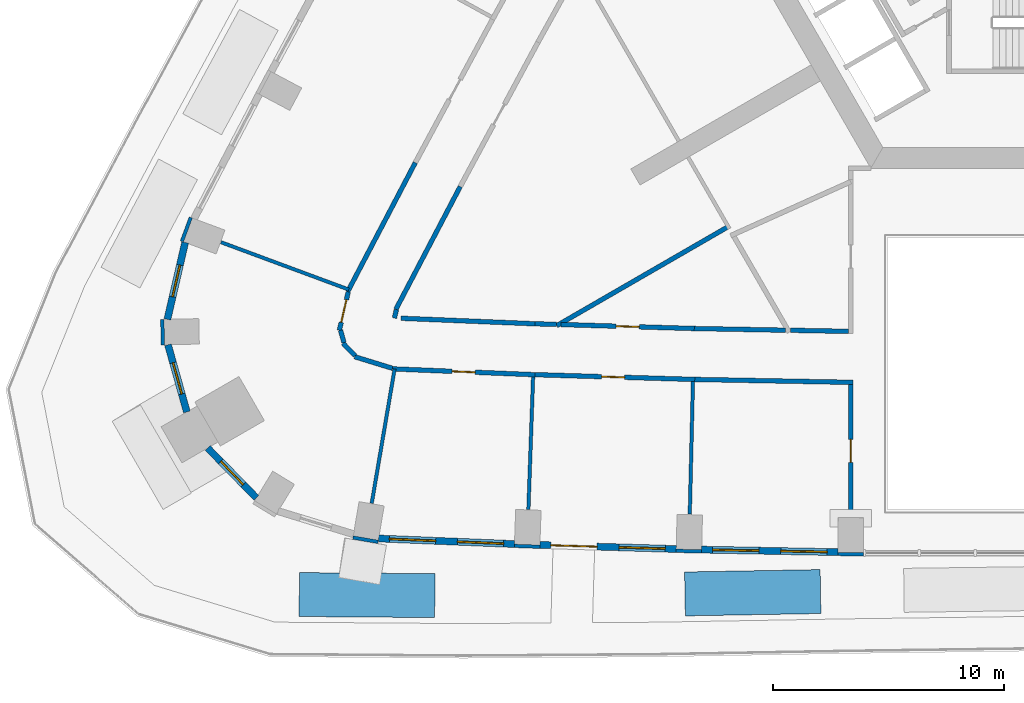
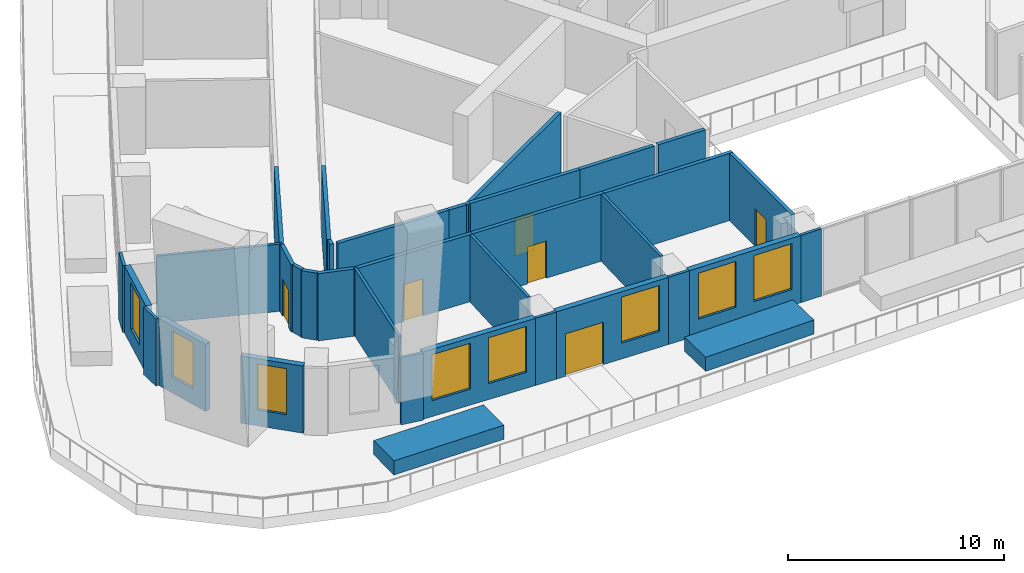
# One storey, part 4 of 16: 35 walls, 8 windows, 6 doors, 14 openings.
"""IFC4 building model written with IfcOpenShell, lengths in metres."""

from ifc_helpers import new_model, si_unit, direction, frame, frame_2d, origin, place, context, subcontext, project, spatial, rectangle, extrude, material, layer, layer_set, type_object, element, fill, save


model = new_model("IFC4")

# Units and contexts
model_context = context("Model", 3, precision=1e-05, world=origin(), true_north=direction((0.0, 1.0)))
body_context = subcontext(model_context, "Body", "Model", "MODEL_VIEW")
ifc_project = project(units=[si_unit("LENGTHUNIT", "METRE"), si_unit("AREAUNIT", "SQUARE_METRE"), si_unit("VOLUMEUNIT", "CUBIC_METRE"), si_unit("PLANEANGLEUNIT", "RADIAN"), si_unit("MASSUNIT", "GRAM", prefix="KILO")], contexts=[model_context])

# Site, building, storey
site_placement = place(None, origin())
site = spatial("IfcSite", under=ifc_project, at=site_placement, CompositionType="ELEMENT")
building_placement = place(site_placement, origin())
building = spatial("IfcBuilding", under=site, at=building_placement, Name="Entoto Arch Interchange Tower", CompositionType="ELEMENT")
storey_placement = place(building_placement, frame((0.0, 0.0, 86.60009765625)))
storey = spatial("IfcBuildingStorey", under=building, at=storey_placement, Name="L18", CompositionType="ELEMENT", Elevation=86.60009765625)

# Walls
ifc_material_1 = material(Name="Gypsum board partition on steel studs", Category="steel")
ifc_layer_1 = layer(ifc_material_1, 0.14990234375)
ifc_layer_set_1 = layer_set([ifc_layer_1], Name="Gypsum board partition on steel studs")
wall_type_1 = type_object("IfcWallType", Name="PARTITION 150", PredefinedType="PARTITIONING", material=ifc_layer_set_1)
wall_1_placement = place(storey_placement, frame((-29.493896484375, -14.740966796875, 0.0), z_axis=(0.0, 0.0, 1.0), x_axis=(-0.937719767819, 0.347392626636, 0.0)))
element("IfcWall", 1, at=wall_1_placement, inside=storey, type_object=wall_type_1, Name="wall:L18:p128", PredefinedType="PARTITIONING", context=body_context, shape_type="SweptSolid", body=[
    extrude(rectangle(XDim=5.89208984375, YDim=0.14990234375, at=frame_2d((2.946044921875, 0.0))), origin(), (0.0, 0.0, 1.0), 3.7998046875),
])
wall_2_placement = place(storey_placement, frame((-27.512939453125, -18.173095703125, 0.0), z_axis=(0.0, 0.0, 1.0), x_axis=(-0.168033262309, -0.985781326034, 0.0)))
element("IfcWall", 2, at=wall_2_placement, inside=storey, type_object=wall_type_1, Name="wall:L18:p129", PredefinedType="PARTITIONING", context=body_context, shape_type="SweptSolid", body=[
    extrude(rectangle(XDim=5.8916015625, YDim=0.14990234375, at=frame_2d((2.94580078125, 0.0))), origin(), (0.0, 0.0, 1.0), 3.7998046875),
])
wall_3_placement = place(storey_placement, frame((-21.527099609375, -18.51904296875, 0.0), z_axis=(0.0, 0.0, 1.0), x_axis=(-0.035408838092, -0.999372910472, 0.0)))
element("IfcWall", 3, at=wall_3_placement, inside=storey, type_object=wall_type_1, Name="wall:L18:p130", PredefinedType="PARTITIONING", context=body_context, shape_type="SweptSolid", body=[
    extrude(rectangle(XDim=5.729736328125, YDim=0.14990234375, at=frame_2d((2.86474609375, 0.0))), origin(), (0.0, 0.0, 1.0), 3.7998046875),
])
wall_4_placement = place(storey_placement, frame((-14.616943359375, -18.72412109375, 0.0), z_axis=(0.0, 0.0, 1.0), x_axis=(-0.02407553942, -0.999710142192, 0.0)))
element("IfcWall", 4, at=wall_4_placement, inside=storey, type_object=wall_type_1, Name="wall:L18:p131", PredefinedType="PARTITIONING", context=body_context, shape_type="SweptSolid", body=[
    extrude(rectangle(XDim=5.7294921875, YDim=0.14990234375, at=frame_2d((2.86474609375, 0.0))), origin(), (0.0, 0.0, 1.0), 3.7998046875),
])
ifc_layer_2 = layer(ifc_material_1, 0.199951171875)
ifc_layer_set_2 = layer_set([ifc_layer_2], Name="Gypsum board partition on steel studs")
wall_type_2 = type_object("IfcWallType", Name="PARTITION 200", PredefinedType="PARTITIONING", material=ifc_layer_set_2)
wall_5_placement = place(storey_placement, frame((-10.407958984375, -16.5009765625, 0.0), z_axis=(0.0, 0.0, 1.0), x_axis=(0.999823568917, -0.018783797216, 0.0)))
element("IfcWall", 5, at=wall_5_placement, inside=storey, type_object=wall_type_2, Name="wall:L18:p022", PredefinedType="PARTITIONING", context=body_context, shape_type="SweptSolid", body=[
    extrude(rectangle(XDim=2.508544921875, YDim=0.199951171875, at=frame_2d((1.25439453125, 0.0))), origin(), (0.0, 0.0, 1.0), 3.7998046875),
])
wall_6_placement = place(storey_placement, frame((-24.677978515625, -10.2900390625, 0.0), z_axis=(0.0, 0.0, 1.0), x_axis=(-0.464203280494, -0.885728691179, 0.0)))
element("IfcWall", 6, at=wall_6_placement, inside=storey, type_object=wall_type_2, Name="wall:L18:p025", PredefinedType="PARTITIONING", context=body_context, shape_type="SweptSolid", body=[
    extrude(rectangle(XDim=5.9951171875, YDim=0.199951171875, at=frame_2d((2.99755859375, 0.0))), origin(), (0.0, 0.0, 1.0), 3.7998046875),
])
wall_7_placement = place(storey_placement, frame((-27.43701171875, -15.60888671875, 0.0), z_axis=(0.0, 0.0, 1.0), x_axis=(-0.224098195188, -0.97456656977, 0.0)))
element("IfcWall", 7, at=wall_7_placement, inside=storey, type_object=wall_type_2, Name="wall:L18:p026", PredefinedType="PARTITIONING", context=body_context, shape_type="SweptSolid", body=[
    extrude(rectangle(XDim=0.374755859375, YDim=0.199951171875, at=frame_2d((0.1875, 0.0))), origin(), (0.0, 0.0, 1.0), 3.7998046875),
])
wall_8_placement = place(storey_placement, frame((-27.239990234375, -15.98193359375, 0.0), z_axis=(0.0, 0.0, 1.0), x_axis=(0.999157128819, -0.041049140426, 0.0)))
element("IfcWall", 8, at=wall_8_placement, inside=storey, type_object=wall_type_2, Name="wall:L18:p027", PredefinedType="PARTITIONING", context=body_context, shape_type="SweptSolid", body=[
    extrude(rectangle(XDim=5.798828125, YDim=0.199951171875, at=frame_2d((2.8994140625, 0.0))), origin(), (0.0, 0.0, 1.0), 3.7998046875),
])
wall_9_placement = place(storey_placement, frame((-21.446044921875, -16.219970703125, 0.0), z_axis=(0.0, 0.0, 1.0), x_axis=(0.999542625536, -0.030241358047, 0.0)))
element("IfcWall", 9, at=wall_9_placement, inside=storey, type_object=wall_type_2, Name="wall:L18:p028", PredefinedType="PARTITIONING", context=body_context, shape_type="SweptSolid", body=[
    extrude(rectangle(XDim=0.928466796875, YDim=0.199951171875, at=frame_2d((0.46435546875, 0.0))), origin(), (0.0, 0.0, 1.0), 3.7998046875),
])

# Wall, opening, door
wall_10_placement = place(storey_placement, frame((-20.318115234375, -16.2529296875, 0.0), z_axis=(0.0, 0.0, 1.0), x_axis=(0.999553385537, -0.029883598524, 0.0)))
wall_10 = element("IfcWall", 10, at=wall_10_placement, inside=storey, type_object=wall_type_2, Name="wall:L18:p029", PredefinedType="PARTITIONING", context=body_context, shape_type="SweptSolid", body=[
    extrude(rectangle(XDim=5.759765625, YDim=0.199951171875, at=frame_2d((2.8798828125, 0.0))), origin(), (0.0, 0.0, 1.0), 3.7998046875),
])
opening_1_placement = place(wall_10_placement, frame((2.3798828125, 0.0, 0.0)))
opening_1 = element("IfcOpeningElement", 11, at=opening_1_placement, cuts=wall_10, Name="Opening L18-D31", PredefinedType="OPENING", context=body_context, shape_type="SweptSolid", body=[
    extrude(rectangle(XDim=1.0, YDim=2.10009765625, at=frame_2d((0.5, 1.050048828125))), frame((0.0, 0.10986328125, 0.0), z_axis=(0.0, -1.0, 0.0), x_axis=(1.0, 0.0, 0.0)), (0.0, 0.0, 1.0), 0.219970703125),
])
ifc_material_2 = material(Name="Timber door leaf in Steel S235 frame", Category="steel")
door_type_1 = type_object("IfcDoorType", Name="DOOR DS-10 1000x2100", OperationType="SINGLE_SWING_LEFT", PredefinedType="DOOR", material=ifc_material_2)
door_1_placement = place(opening_1_placement, origin())
door_1 = element("IfcDoor", 12, at=door_1_placement, inside=storey, type_object=door_type_1, Name="door:L18:31", OperationType="SINGLE_SWING_LEFT", OverallHeight=2.10009765625, OverallWidth=1.0, PredefinedType="DOOR", context=body_context, shape_type="SweptSolid", body=[
    extrude(rectangle(XDim=1.0, YDim=2.10009765625, at=frame_2d((0.5, 1.050048828125))), frame((0.0, 0.02490234375, 0.0), z_axis=(0.0, -1.0, 0.0), x_axis=(1.0, 0.0, 0.0)), (0.0, 0.0, 1.0), 0.050048828125),
])
fill(opening_1, door_1)

# Walls
wall_11_placement = place(storey_placement, frame((-14.56103515625, -16.425048828125, 0.0), z_axis=(0.0, 0.0, 1.0), x_axis=(0.999829548691, -0.018462761553, 0.0)))
element("IfcWall", 13, at=wall_11_placement, inside=storey, type_object=wall_type_2, Name="wall:L18:p030", PredefinedType="PARTITIONING", context=body_context, shape_type="SweptSolid", body=[
    extrude(rectangle(XDim=3.953857421875, YDim=0.199951171875, at=frame_2d((1.97705078125, 0.0))), origin(), (0.0, 0.0, 1.0), 3.7998046875),
])
wall_12_placement = place(storey_placement, frame((-29.541015625, -14.8291015625, 0.0), z_axis=(0.0, 0.0, 1.0), x_axis=(0.46422598759, 0.885716790202, 0.0)))
element("IfcWall", 14, at=wall_12_placement, inside=storey, type_object=wall_type_2, Name="wall:L18:p057", PredefinedType="PARTITIONING", context=body_context, shape_type="SweptSolid", body=[
    extrude(rectangle(XDim=6.289794921875, YDim=0.199951171875, at=frame_2d((3.14501953125, 0.0))), origin(), (0.0, 0.0, 1.0), 3.7998046875),
])
wall_13_placement = place(storey_placement, frame((-27.60791015625, -18.14404296875, 0.0), z_axis=(0.0, 0.0, 1.0), x_axis=(-0.956137025409, 0.292919764852, 0.0)))
element("IfcWall", 15, at=wall_13_placement, inside=storey, type_object=wall_type_2, Name="wall:L18:p059", PredefinedType="PARTITIONING", context=body_context, shape_type="SweptSolid", body=[
    extrude(rectangle(XDim=1.70703125, YDim=0.199951171875, at=frame_2d((0.853515625, 0.0))), origin(), (0.0, 0.0, 1.0), 3.7998046875),
])
wall_14_placement = place(storey_placement, frame((-29.215087890625, -17.60205078125, 0.0), z_axis=(0.0, 0.0, 1.0), x_axis=(-0.698331924638, 0.715774072617, 0.0)))
element("IfcWall", 16, at=wall_14_placement, inside=storey, type_object=wall_type_2, Name="wall:L18:p060", PredefinedType="PARTITIONING", context=body_context, shape_type="SweptSolid", body=[
    extrude(rectangle(XDim=0.755859375, YDim=0.199951171875, at=frame_2d((0.3779296875, 0.0))), origin(), (0.0, 0.0, 1.0), 3.7998046875),
])
wall_15_placement = place(storey_placement, frame((-29.700927734375, -17.035888671875, 0.0), z_axis=(0.0, 0.0, 1.0), x_axis=(-0.269792639482, 0.962918444979, 0.0)))
element("IfcWall", 17, at=wall_15_placement, inside=storey, type_object=wall_type_2, Name="wall:L18:p061", PredefinedType="PARTITIONING", context=body_context, shape_type="SweptSolid", body=[
    extrude(rectangle(XDim=0.556640625, YDim=0.199951171875, at=frame_2d((0.2783203125, 0.0))), origin(), (0.0, 0.0, 1.0), 3.7998046875),
])

# Wall, opening, door
wall_16_placement = place(storey_placement, frame((-29.89990234375, -16.5009765625, 0.0), z_axis=(0.0, 0.0, 1.0), x_axis=(0.224316169854, 0.974516421587, 0.0)))
wall_16 = element("IfcWall", 18, at=wall_16_placement, inside=storey, type_object=wall_type_2, Name="wall:L18:p062", PredefinedType="PARTITIONING", context=body_context, shape_type="SweptSolid", body=[
    extrude(rectangle(XDim=1.70654296875, YDim=0.199951171875, at=frame_2d((0.853271484375, 0.0))), origin(), (0.0, 0.0, 1.0), 3.7998046875),
])
opening_2_placement = place(wall_16_placement, frame((0.35302734375, 0.0, 0.0)))
opening_2 = element("IfcOpeningElement", 19, at=opening_2_placement, cuts=wall_16, Name="Opening L18-D19", PredefinedType="OPENING", context=body_context, shape_type="SweptSolid", body=[
    extrude(rectangle(XDim=1.0, YDim=2.10009765625, at=frame_2d((0.5, 1.050048828125))), frame((0.0, 0.10986328125, 0.0), z_axis=(0.0, -1.0, 0.0), x_axis=(1.0, 0.0, 0.0)), (0.0, 0.0, 1.0), 0.219970703125),
])
door_2_placement = place(opening_2_placement, origin())
door_2 = element("IfcDoor", 20, at=door_2_placement, inside=storey, type_object=door_type_1, Name="door:L18:19", OperationType="SINGLE_SWING_RIGHT", OverallHeight=2.10009765625, OverallWidth=1.0, PredefinedType="DOOR", context=body_context, shape_type="SweptSolid", body=[
    extrude(rectangle(XDim=1.0, YDim=2.10009765625, at=frame_2d((0.5, 1.050048828125))), frame((0.0, 0.02490234375, 0.0), z_axis=(0.0, -1.0, 0.0), x_axis=(1.0, 0.0, 0.0)), (0.0, 0.0, 1.0), 0.050048828125),
])
fill(opening_2, door_2)

wall_17_placement = place(storey_placement, frame((-21.448974609375, -18.422119140625, 0.0), z_axis=(0.0, 0.0, 1.0), x_axis=(-0.999157588083, 0.041037960189, 0.0)))
wall_17 = element("IfcWall", 21, at=wall_17_placement, inside=storey, type_object=wall_type_2, Name="wall:L18:p063", PredefinedType="PARTITIONING", context=body_context, shape_type="SweptSolid", body=[
    extrude(rectangle(XDim=6.169189453125, YDim=0.199951171875, at=frame_2d((3.08447265625, 0.0))), origin(), (0.0, 0.0, 1.0), 3.7998046875),
])
opening_3_placement = place(wall_17_placement, frame((2.583984375, 0.0, 0.0)))
opening_3 = element("IfcOpeningElement", 22, at=opening_3_placement, cuts=wall_17, Name="Opening L18-D20", PredefinedType="OPENING", context=body_context, shape_type="SweptSolid", body=[
    extrude(rectangle(XDim=1.0, YDim=2.10009765625, at=frame_2d((0.5, 1.050048828125))), frame((0.0, 0.10986328125, 0.0), z_axis=(0.0, -1.0, 0.0), x_axis=(1.0, 0.0, 0.0)), (0.0, 0.0, 1.0), 0.219970703125),
])
door_3_placement = place(opening_3_placement, origin())
door_3 = element("IfcDoor", 23, at=door_3_placement, inside=storey, type_object=door_type_1, Name="door:L18:20", OperationType="SINGLE_SWING_LEFT", OverallHeight=2.10009765625, OverallWidth=1.0, PredefinedType="DOOR", context=body_context, shape_type="SweptSolid", body=[
    extrude(rectangle(XDim=1.0, YDim=2.10009765625, at=frame_2d((0.5, 1.050048828125))), frame((0.0, 0.02490234375, 0.0), z_axis=(0.0, -1.0, 0.0), x_axis=(1.0, 0.0, 0.0)), (0.0, 0.0, 1.0), 0.050048828125),
])
fill(opening_3, door_3)

wall_18_placement = place(storey_placement, frame((-14.5390625, -18.6259765625, 0.0), z_axis=(0.0, 0.0, 1.0), x_axis=(-0.999555675329, 0.029806910574, 0.0)))
wall_18 = element("IfcWall", 24, at=wall_18_placement, inside=storey, type_object=wall_type_2, Name="wall:L18:p064", PredefinedType="PARTITIONING", context=body_context, shape_type="SweptSolid", body=[
    extrude(rectangle(XDim=6.9130859375, YDim=0.199951171875, at=frame_2d((3.45654296875, 0.0))), origin(), (0.0, 0.0, 1.0), 3.7998046875),
])
opening_4_placement = place(wall_18_placement, frame((3.031005859375, 0.0, 0.0)))
opening_4 = element("IfcOpeningElement", 25, at=opening_4_placement, cuts=wall_18, Name="Opening L18-D21", PredefinedType="OPENING", context=body_context, shape_type="SweptSolid", body=[
    extrude(rectangle(XDim=1.0, YDim=2.10009765625, at=frame_2d((0.5, 1.050048828125))), frame((0.0, 0.10986328125, 0.0), z_axis=(0.0, -1.0, 0.0), x_axis=(1.0, 0.0, 0.0)), (0.0, 0.0, 1.0), 0.219970703125),
])
door_4_placement = place(opening_4_placement, origin())
door_4 = element("IfcDoor", 26, at=door_4_placement, inside=storey, type_object=door_type_1, Name="door:L18:21", OperationType="SINGLE_SWING_LEFT", OverallHeight=2.10009765625, OverallWidth=1.0, PredefinedType="DOOR", context=body_context, shape_type="SweptSolid", body=[
    extrude(rectangle(XDim=1.0, YDim=2.10009765625, at=frame_2d((0.5, 1.050048828125))), frame((0.0, 0.02490234375, 0.0), z_axis=(0.0, -1.0, 0.0), x_axis=(1.0, 0.0, 0.0)), (0.0, 0.0, 1.0), 0.050048828125),
])
fill(opening_4, door_4)

# Wall
wall_19_placement = place(storey_placement, frame((-7.699951171875, -18.751953125, 0.0), z_axis=(0.0, 0.0, 1.0), x_axis=(-0.999830394604, 0.018416895142, 0.0)))
element("IfcWall", 27, at=wall_19_placement, inside=storey, type_object=wall_type_2, Name="wall:L18:p065", PredefinedType="PARTITIONING", context=body_context, shape_type="SweptSolid", body=[
    extrude(rectangle(XDim=6.84033203125, YDim=0.199951171875, at=frame_2d((3.420166015625, 0.0))), origin(), (0.0, 0.0, 1.0), 3.7998046875),
])

# Wall, opening, door
wall_20_placement = place(storey_placement, frame((-7.800048828125, -24.5810546875, 0.0), z_axis=(0.0, 0.0, 1.0), x_axis=(0.0, 1.0, 0.0)))
wall_20 = element("IfcWall", 28, at=wall_20_placement, inside=storey, type_object=wall_type_2, Name="wall:L18:p098", PredefinedType="PARTITIONING", context=body_context, shape_type="SweptSolid", body=[
    extrude(rectangle(XDim=5.73095703125, YDim=0.199951171875, at=frame_2d((2.865478515625, 0.0))), origin(), (0.0, 0.0, 1.0), 3.7998046875),
])
opening_5_placement = place(wall_20_placement, frame((2.365966796875, 0.0, 0.0)))
opening_5 = element("IfcOpeningElement", 29, at=opening_5_placement, cuts=wall_20, Name="Opening L18-D22", PredefinedType="OPENING", context=body_context, shape_type="SweptSolid", body=[
    extrude(rectangle(XDim=1.0, YDim=2.10009765625, at=frame_2d((0.5, 1.050048828125))), frame((0.0, 0.10986328125, 0.0), z_axis=(0.0, -1.0, 0.0), x_axis=(1.0, 0.0, 0.0)), (0.0, 0.0, 1.0), 0.219970703125),
])
door_5_placement = place(opening_5_placement, origin())
door_5 = element("IfcDoor", 30, at=door_5_placement, inside=storey, type_object=door_type_1, Name="door:L18:22", OperationType="SINGLE_SWING_LEFT", OverallHeight=2.10009765625, OverallWidth=1.0, PredefinedType="DOOR", context=body_context, shape_type="SweptSolid", body=[
    extrude(rectangle(XDim=1.0, YDim=2.10009765625, at=frame_2d((0.5, 1.050048828125))), frame((0.0, 0.02490234375, 0.0), z_axis=(0.0, -1.0, 0.0), x_axis=(1.0, 0.0, 0.0)), (0.0, 0.0, 1.0), 0.050048828125),
])
fill(opening_5, door_5)

# Walls
wall_21_placement = place(storey_placement, frame((-13.072021484375, -12.009033203125, 0.0), z_axis=(0.0, 0.0, 1.0), x_axis=(-0.865993734772, -0.500054848326, 0.0)))
element("IfcWall", 31, at=wall_21_placement, inside=storey, type_object=wall_type_2, Name="wall:L18:p110", PredefinedType="PARTITIONING", context=body_context, shape_type="SweptSolid", body=[
    extrude(rectangle(XDim=8.5830078125, YDim=0.199951171875, at=frame_2d((4.29150390625, 0.0))), origin(), (0.0, 0.0, 1.0), 3.7998046875),
])
ifc_material_3 = material(Name="Board-marked precast concrete C50/60", Category="concrete")
ifc_layer_3 = layer(ifc_material_3, 1.89990234375)
ifc_layer_set_3 = layer_set([ifc_layer_3], Name="Board-marked precast concrete C50/60")
wall_type_3 = type_object("IfcWallType", Name="PLANTER RC 1900 Afrocarpus falcatus", PredefinedType="STANDARD", material=ifc_layer_set_3)
wall_22_placement = place(storey_placement, frame((-31.635009765625, -27.925048828125, 0.0), z_axis=(0.0, 0.0, 1.0), x_axis=(0.999971883216, -0.007498851768, 0.0)))
element("IfcWall", 32, at=wall_22_placement, inside=storey, type_object=wall_type_3, Name="Terrace planter S-01 L18", PredefinedType="STANDARD", context=body_context, shape_type="SweptSolid", body=[
    extrude(rectangle(XDim=5.8603515625, YDim=1.89990234375, at=frame_2d((2.93017578125, 0.0))), origin(), (0.0, 0.0, 1.0), 0.7998046875),
])
ifc_layer_4 = layer(ifc_material_3, 1.89990234375)
ifc_layer_set_4 = layer_set([ifc_layer_4], Name="Board-marked precast concrete C50/60")
wall_type_4 = type_object("IfcWallType", Name="PLANTER RC 1900 Vachellia abyssinica", PredefinedType="STANDARD", material=ifc_layer_set_4)
wall_23_placement = place(storey_placement, frame((-14.9619140625, -27.89794921875, 0.0), z_axis=(0.0, 0.0, 1.0), x_axis=(0.999845423275, 0.017582080533, 0.0)))
element("IfcWall", 33, at=wall_23_placement, inside=storey, type_object=wall_type_4, Name="Terrace planter S-03 L18", PredefinedType="STANDARD", context=body_context, shape_type="SweptSolid", body=[
    extrude(rectangle(XDim=5.85986328125, YDim=1.89990234375, at=frame_2d((2.929931640625, 0.0))), origin(), (0.0, 0.0, 1.0), 0.7998046875),
])

# Wall, openings, windows
ifc_material_4 = material(Name="Welded tuff (ignimbrite) cladding, warm buff", Category="masonry")
ifc_layer_5 = layer(ifc_material_4, 0.300048828125)
ifc_layer_set_5 = layer_set([ifc_layer_5], Name="Welded tuff (ignimbrite) cladding, warm buff")
wall_type_5 = type_object("IfcWallType", Name="STONE INFILL WALL 300", PredefinedType="STANDARD", material=ifc_layer_set_5)
wall_24_placement = place(storey_placement, frame((-28.205078125, -25.5009765625, 0.0), z_axis=(0.0, 0.0, 1.0), x_axis=(0.999159360905, -0.040994774244, 0.0)))
wall_24 = element("IfcWall", 34, at=wall_24_placement, inside=storey, type_object=wall_type_5, Name="Facade wall S-01 L18", PredefinedType="STANDARD", context=body_context, shape_type="SweptSolid", body=[
    extrude(rectangle(XDim=5.8779296875, YDim=0.300048828125, at=frame_2d((2.93896484375, 0.0))), origin(), (0.0, 0.0, 1.0), 3.7998046875),
])
opening_6_placement = place(wall_24_placement, frame((0.468994140625, 0.0, 0.89990234375)))
opening_6 = element("IfcOpeningElement", 35, at=opening_6_placement, cuts=wall_24, Name="Opening WO-C", PredefinedType="OPENING", context=body_context, shape_type="SweptSolid", body=[
    extrude(rectangle(XDim=2.0, YDim=2.60009765625, at=frame_2d((1.0, 1.300048828125))), frame((0.0, 0.16015625, 0.0), z_axis=(0.0, -1.0, 0.0), x_axis=(1.0, 0.0, 0.0)), (0.0, 0.0, 1.0), 0.320068359375),
])
opening_7_placement = place(wall_24_placement, frame((3.407958984375, 0.0, 0.89990234375)))
opening_7 = element("IfcOpeningElement", 36, at=opening_7_placement, cuts=wall_24, Name="Opening WO-C", PredefinedType="OPENING", context=body_context, shape_type="SweptSolid", body=[
    extrude(rectangle(XDim=2.0, YDim=2.60009765625, at=frame_2d((1.0, 1.300048828125))), frame((0.0, 0.16015625, 0.0), z_axis=(0.0, -1.0, 0.0), x_axis=(1.0, 0.0, 0.0)), (0.0, 0.0, 1.0), 0.320068359375),
])
ifc_material_5 = material(Name="Clear glass, low-e double glazed", Category="glass")
window_type_1 = type_object("IfcWindowType", Name="WINDOW WO-C 2000x2600", PartitioningType="DOUBLE_PANEL_VERTICAL", PredefinedType="WINDOW", material=ifc_material_5)
window_1_placement = place(opening_6_placement, origin())
window_1 = element("IfcWindow", 37, at=window_1_placement, inside=storey, type_object=window_type_1, Name="Window WO-C S-01 L18", OverallHeight=2.60009765625, OverallWidth=2.0, PartitioningType="SINGLE_PANEL", PredefinedType="WINDOW", context=body_context, shape_type="SweptSolid", body=[
    extrude(rectangle(XDim=2.0, YDim=2.60009765625, at=frame_2d((1.0, 1.300048828125))), frame((0.0, 0.030029296875, 0.0), z_axis=(0.0, -1.0, 0.0), x_axis=(1.0, 0.0, 0.0)), (0.0, 0.0, 1.0), 0.06005859375),
])
fill(opening_6, window_1)
window_2_placement = place(opening_7_placement, origin())
window_2 = element("IfcWindow", 38, at=window_2_placement, inside=storey, type_object=window_type_1, Name="Window WO-C S-01 L18", OverallHeight=2.60009765625, OverallWidth=2.0, PartitioningType="SINGLE_PANEL", PredefinedType="WINDOW", context=body_context, shape_type="SweptSolid", body=[
    extrude(rectangle(XDim=2.0, YDim=2.60009765625, at=frame_2d((1.0, 1.300048828125))), frame((0.0, 0.030029296875, 0.0), z_axis=(0.0, -1.0, 0.0), x_axis=(1.0, 0.0, 0.0)), (0.0, 0.0, 1.0), 0.06005859375),
])
fill(opening_7, window_2)

# Wall, openings, door, window
wall_25_placement = place(storey_placement, frame((-21.235107421875, -25.780029296875, 0.0), z_axis=(0.0, 0.0, 1.0), x_axis=(0.999554487555, -0.029846715213, 0.0)))
wall_25 = element("IfcWall", 39, at=wall_25_placement, inside=storey, type_object=wall_type_5, Name="Facade wall S-02 L18", PredefinedType="STANDARD", context=body_context, shape_type="SweptSolid", body=[
    extrude(rectangle(XDim=5.897705078125, YDim=0.300048828125, at=frame_2d((2.94873046875, 0.0))), origin(), (0.0, 0.0, 1.0), 3.7998046875),
])
opening_8_placement = place(wall_25_placement, frame((0.47412109375, 0.0, 0.0)))
opening_8 = element("IfcOpeningElement", 40, at=opening_8_placement, cuts=wall_25, Name="Opening DT-S-02-L18", PredefinedType="OPENING", context=body_context, shape_type="SweptSolid", body=[
    extrude(rectangle(XDim=2.0, YDim=2.39990234375, at=frame_2d((1.0, 1.199951171875))), frame((0.0, 0.16015625, 0.0), z_axis=(0.0, -1.0, 0.0), x_axis=(1.0, 0.0, 0.0)), (0.0, 0.0, 1.0), 0.320068359375),
])
opening_9_placement = place(wall_25_placement, frame((3.423095703125, 0.0, 0.89990234375)))
opening_9 = element("IfcOpeningElement", 41, at=opening_9_placement, cuts=wall_25, Name="Opening WO-C", PredefinedType="OPENING", context=body_context, shape_type="SweptSolid", body=[
    extrude(rectangle(XDim=2.0, YDim=2.60009765625, at=frame_2d((1.0, 1.300048828125))), frame((0.0, 0.16015625, 0.0), z_axis=(0.0, -1.0, 0.0), x_axis=(1.0, 0.0, 0.0)), (0.0, 0.0, 1.0), 0.320068359375),
])
ifc_material_6 = material(Name="Aluminium and clear glass, anodised", Category="aluminium")
door_type_2 = type_object("IfcDoorType", Name="TERRACE DOOR DT 2000x2400", OperationType="SLIDING_TO_LEFT", PredefinedType="DOOR", material=ifc_material_6)
door_6_placement = place(opening_8_placement, origin())
door_6 = element("IfcDoor", 42, at=door_6_placement, inside=storey, type_object=door_type_2, Name="Terrace door S-02 L18", OperationType="SLIDING_TO_LEFT", OverallHeight=2.39990234375, OverallWidth=2.0, PredefinedType="DOOR", context=body_context, shape_type="SweptSolid", body=[
    extrude(rectangle(XDim=2.0, YDim=2.39990234375, at=frame_2d((1.0, 1.199951171875))), frame((0.0, 0.02490234375, 0.0), z_axis=(0.0, -1.0, 0.0), x_axis=(1.0, 0.0, 0.0)), (0.0, 0.0, 1.0), 0.050048828125),
])
fill(opening_8, door_6)
window_3_placement = place(opening_9_placement, origin())
window_3 = element("IfcWindow", 43, at=window_3_placement, inside=storey, type_object=window_type_1, Name="Window WO-C S-02 L18", OverallHeight=2.60009765625, OverallWidth=2.0, PartitioningType="SINGLE_PANEL", PredefinedType="WINDOW", context=body_context, shape_type="SweptSolid", body=[
    extrude(rectangle(XDim=2.0, YDim=2.60009765625, at=frame_2d((1.0, 1.300048828125))), frame((0.0, 0.030029296875, 0.0), z_axis=(0.0, -1.0, 0.0), x_axis=(1.0, 0.0, 0.0)), (0.0, 0.0, 1.0), 0.06005859375),
])
fill(opening_9, window_3)

# Wall, openings, windows
wall_26_placement = place(storey_placement, frame((-14.241943359375, -25.98193359375, 0.0), z_axis=(0.0, 0.0, 1.0), x_axis=(0.999828633111, -0.018512277318, 0.0)))
wall_26 = element("IfcWall", 44, at=wall_26_placement, inside=storey, type_object=wall_type_5, Name="Facade wall S-03 L18", PredefinedType="STANDARD", context=body_context, shape_type="SweptSolid", body=[
    extrude(rectangle(XDim=5.89501953125, YDim=0.300048828125, at=frame_2d((2.947509765625, 0.0))), origin(), (0.0, 0.0, 1.0), 3.7998046875),
])
opening_10_placement = place(wall_26_placement, frame((0.47412109375, 0.0, 0.89990234375)))
opening_10 = element("IfcOpeningElement", 45, at=opening_10_placement, cuts=wall_26, Name="Opening WO-C", PredefinedType="OPENING", context=body_context, shape_type="SweptSolid", body=[
    extrude(rectangle(XDim=2.0, YDim=2.60009765625, at=frame_2d((1.0, 1.300048828125))), frame((0.0, 0.16015625, 0.0), z_axis=(0.0, -1.0, 0.0), x_axis=(1.0, 0.0, 0.0)), (0.0, 0.0, 1.0), 0.320068359375),
])
opening_11_placement = place(wall_26_placement, frame((3.4208984375, 0.0, 0.89990234375)))
opening_11 = element("IfcOpeningElement", 46, at=opening_11_placement, cuts=wall_26, Name="Opening WO-C", PredefinedType="OPENING", context=body_context, shape_type="SweptSolid", body=[
    extrude(rectangle(XDim=2.0, YDim=2.60009765625, at=frame_2d((1.0, 1.300048828125))), frame((0.0, 0.16015625, 0.0), z_axis=(0.0, -1.0, 0.0), x_axis=(1.0, 0.0, 0.0)), (0.0, 0.0, 1.0), 0.320068359375),
])
window_4_placement = place(opening_10_placement, origin())
window_4 = element("IfcWindow", 47, at=window_4_placement, inside=storey, type_object=window_type_1, Name="Window WO-C S-03 L18", OverallHeight=2.60009765625, OverallWidth=2.0, PartitioningType="SINGLE_PANEL", PredefinedType="WINDOW", context=body_context, shape_type="SweptSolid", body=[
    extrude(rectangle(XDim=2.0, YDim=2.60009765625, at=frame_2d((1.0, 1.300048828125))), frame((0.0, 0.030029296875, 0.0), z_axis=(0.0, -1.0, 0.0), x_axis=(1.0, 0.0, 0.0)), (0.0, 0.0, 1.0), 0.06005859375),
])
fill(opening_10, window_4)
window_5_placement = place(opening_11_placement, origin())
window_5 = element("IfcWindow", 48, at=window_5_placement, inside=storey, type_object=window_type_1, Name="Window WO-C S-03 L18", OverallHeight=2.60009765625, OverallWidth=2.0, PartitioningType="SINGLE_PANEL", PredefinedType="WINDOW", context=body_context, shape_type="SweptSolid", body=[
    extrude(rectangle(XDim=2.0, YDim=2.60009765625, at=frame_2d((1.0, 1.300048828125))), frame((0.0, 0.030029296875, 0.0), z_axis=(0.0, -1.0, 0.0), x_axis=(1.0, 0.0, 0.0)), (0.0, 0.0, 1.0), 0.06005859375),
])
fill(opening_11, window_5)

# Wall, opening, window
wall_27_placement = place(storey_placement, frame((-36.568115234375, -12.7060546875, 0.0), z_axis=(0.0, 0.0, 1.0), x_axis=(-0.224859506699, -0.974391195695, 0.0)))
wall_27 = element("IfcWall", 49, at=wall_27_placement, inside=storey, type_object=wall_type_5, Name="Facade wall SW-01 L18", PredefinedType="STANDARD", context=body_context, shape_type="SweptSolid", body=[
    extrude(rectangle(XDim=3.410400390625, YDim=0.300048828125, at=frame_2d((1.705078125, 0.0))), origin(), (0.0, 0.0, 1.0), 3.7998046875),
])
opening_12_placement = place(wall_27_placement, frame((1.0048828125, 0.0, 0.89990234375)))
opening_12 = element("IfcOpeningElement", 50, at=opening_12_placement, cuts=wall_27, Name="Opening WO-B", PredefinedType="OPENING", context=body_context, shape_type="SweptSolid", body=[
    extrude(rectangle(XDim=1.39990234375, YDim=2.60009765625, at=frame_2d((0.699951171875, 1.300048828125))), frame((0.0, 0.16015625, 0.0), z_axis=(0.0, -1.0, 0.0), x_axis=(1.0, 0.0, 0.0)), (0.0, 0.0, 1.0), 0.320068359375),
])
window_type_2 = type_object("IfcWindowType", Name="WINDOW WO-B 1400x2600", PartitioningType="DOUBLE_PANEL_VERTICAL", PredefinedType="WINDOW", material=ifc_material_5)
window_6_placement = place(opening_12_placement, origin())
window_6 = element("IfcWindow", 51, at=window_6_placement, inside=storey, type_object=window_type_2, Name="Window WO-B SW-01 L18", OverallHeight=2.60009765625, OverallWidth=1.39990234375, PartitioningType="SINGLE_PANEL", PredefinedType="WINDOW", context=body_context, shape_type="SweptSolid", body=[
    extrude(rectangle(XDim=1.39990234375, YDim=2.60009765625, at=frame_2d((0.699951171875, 1.300048828125))), frame((0.0, 0.030029296875, 0.0), z_axis=(0.0, -1.0, 0.0), x_axis=(1.0, 0.0, 0.0)), (0.0, 0.0, 1.0), 0.06005859375),
])
fill(opening_12, window_6)

wall_28_placement = place(storey_placement, frame((-37.30908203125, -17.126953125, 0.0), z_axis=(0.0, 0.0, 1.0), x_axis=(0.270176120308, -0.962810918102, 0.0)))
wall_28 = element("IfcWall", 52, at=wall_28_placement, inside=storey, type_object=wall_type_5, Name="Facade wall SW-02 L18", PredefinedType="STANDARD", context=body_context, shape_type="SweptSolid", body=[
    extrude(rectangle(XDim=3.017333984375, YDim=0.300048828125, at=frame_2d((1.5087890625, 0.0))), origin(), (0.0, 0.0, 1.0), 3.7998046875),
])
opening_13_placement = place(wall_28_placement, frame((0.80908203125, 0.0, 0.89990234375)))
opening_13 = element("IfcOpeningElement", 53, at=opening_13_placement, cuts=wall_28, Name="Opening WO-B", PredefinedType="OPENING", context=body_context, shape_type="SweptSolid", body=[
    extrude(rectangle(XDim=1.39990234375, YDim=2.60009765625, at=frame_2d((0.699951171875, 1.300048828125))), frame((0.0, 0.16015625, 0.0), z_axis=(0.0, -1.0, 0.0), x_axis=(1.0, 0.0, 0.0)), (0.0, 0.0, 1.0), 0.320068359375),
])
window_7_placement = place(opening_13_placement, origin())
window_7 = element("IfcWindow", 54, at=window_7_placement, inside=storey, type_object=window_type_2, Name="Window WO-B SW-02 L18", OverallHeight=2.60009765625, OverallWidth=1.39990234375, PartitioningType="SINGLE_PANEL", PredefinedType="WINDOW", context=body_context, shape_type="SweptSolid", body=[
    extrude(rectangle(XDim=1.39990234375, YDim=2.60009765625, at=frame_2d((0.699951171875, 1.300048828125))), frame((0.0, 0.030029296875, 0.0), z_axis=(0.0, -1.0, 0.0), x_axis=(1.0, 0.0, 0.0)), (0.0, 0.0, 1.0), 0.06005859375),
])
fill(opening_13, window_7)

wall_29_placement = place(storey_placement, frame((-35.594970703125, -21.589111328125, 0.0), z_axis=(0.0, 0.0, 1.0), x_axis=(0.698928244773, -0.715191798512, 0.0)))
wall_29 = element("IfcWall", 55, at=wall_29_placement, inside=storey, type_object=wall_type_5, Name="Facade wall SW-03 L18", PredefinedType="STANDARD", context=body_context, shape_type="SweptSolid", body=[
    extrude(rectangle(XDim=3.017333984375, YDim=0.300048828125, at=frame_2d((1.5087890625, 0.0))), origin(), (0.0, 0.0, 1.0), 3.7998046875),
])
opening_14_placement = place(wall_29_placement, frame((0.80908203125, 0.0, 0.89990234375)))
opening_14 = element("IfcOpeningElement", 56, at=opening_14_placement, cuts=wall_29, Name="Opening WO-B", PredefinedType="OPENING", context=body_context, shape_type="SweptSolid", body=[
    extrude(rectangle(XDim=1.39990234375, YDim=2.60009765625, at=frame_2d((0.699951171875, 1.300048828125))), frame((0.0, 0.16015625, 0.0), z_axis=(0.0, -1.0, 0.0), x_axis=(1.0, 0.0, 0.0)), (0.0, 0.0, 1.0), 0.320068359375),
])
window_8_placement = place(opening_14_placement, origin())
window_8 = element("IfcWindow", 57, at=window_8_placement, inside=storey, type_object=window_type_2, Name="Window WO-B SW-03 L18", OverallHeight=2.60009765625, OverallWidth=1.39990234375, PartitioningType="SINGLE_PANEL", PredefinedType="WINDOW", context=body_context, shape_type="SweptSolid", body=[
    extrude(rectangle(XDim=1.39990234375, YDim=2.60009765625, at=frame_2d((0.699951171875, 1.300048828125))), frame((0.0, 0.030029296875, 0.0), z_axis=(0.0, -1.0, 0.0), x_axis=(1.0, 0.0, 0.0)), (0.0, 0.0, 1.0), 0.06005859375),
])
fill(opening_14, window_8)

# Walls
ifc_layer_6 = layer(ifc_material_4, 0.14990234375)
ifc_layer_set_6 = layer_set([ifc_layer_6], Name="Welded tuff (ignimbrite) cladding, warm buff")
wall_type_6 = type_object("IfcWallType", Name="STONE PIER CLADDING 150", PredefinedType="STANDARD", material=ifc_layer_set_6)
wall_30_placement = place(storey_placement, frame((-36.323974609375, -11.6240234375, 0.0), z_axis=(0.0, 0.0, 1.0), x_axis=(-0.347205967468, -0.937788897436, 0.0)))
element("IfcWall", 58, at=wall_30_placement, inside=storey, type_object=wall_type_6, Name="Stone pier NW09 L18", PredefinedType="STANDARD", context=body_context, shape_type="SweptSolid", body=[
    extrude(rectangle(XDim=1.100341796875, YDim=0.14990234375, at=frame_2d((0.55029296875, 0.0))), origin(), (0.0, 0.0, 1.0), 3.7998046875),
])
wall_31_placement = place(storey_placement, frame((-29.31396484375, -25.4609375, 0.0), z_axis=(0.0, 0.0, 1.0), x_axis=(0.985763338892, -0.168138751323, 0.0)))
element("IfcWall", 59, at=wall_31_placement, inside=storey, type_object=wall_type_6, Name="Stone pier S01 L18", PredefinedType="STANDARD", context=body_context, shape_type="SweptSolid", body=[
    extrude(rectangle(XDim=1.1005859375, YDim=0.14990234375, at=frame_2d((0.55029296875, 0.0))), origin(), (0.0, 0.0, 1.0), 3.7998046875),
])
wall_32_placement = place(storey_placement, frame((-22.3359375, -25.820068359375, 0.0), z_axis=(0.0, 0.0, 1.0), x_axis=(0.999376638472, -0.035303462679, 0.0)))
element("IfcWall", 60, at=wall_32_placement, inside=storey, type_object=wall_type_6, Name="Stone pier S02 L18", PredefinedType="STANDARD", context=body_context, shape_type="SweptSolid", body=[
    extrude(rectangle(XDim=1.099609375, YDim=0.14990234375, at=frame_2d((0.5498046875, 0.0))), origin(), (0.0, 0.0, 1.0), 3.7998046875),
])
wall_33_placement = place(storey_placement, frame((-15.343017578125, -26.033935546875, 0.0), z_axis=(0.0, 0.0, 1.0), x_axis=(0.999718180159, -0.023739424163, 0.0)))
element("IfcWall", 61, at=wall_33_placement, inside=storey, type_object=wall_type_6, Name="Stone pier S03 L18", PredefinedType="STANDARD", context=body_context, shape_type="SweptSolid", body=[
    extrude(rectangle(XDim=1.100341796875, YDim=0.14990234375, at=frame_2d((0.55029296875, 0.0))), origin(), (0.0, 0.0, 1.0), 3.7998046875),
])
wall_34_placement = place(storey_placement, frame((-8.34912109375, -26.1708984375, 0.0), z_axis=(0.0, 0.0, 1.0), x_axis=(0.99995860686, -0.009098602504, 0.0)))
element("IfcWall", 62, at=wall_34_placement, inside=storey, type_object=wall_type_6, Name="Stone pier S04 L18", PredefinedType="STANDARD", context=body_context, shape_type="SweptSolid", body=[
    extrude(rectangle(XDim=1.10009765625, YDim=0.14990234375, at=frame_2d((0.550048828125, 0.0))), origin(), (0.0, 0.0, 1.0), 3.7998046875),
])
wall_35_placement = place(storey_placement, frame((-37.554931640625, -16.032958984375, 0.0), z_axis=(0.0, 0.0, 1.0), x_axis=(0.023517683673, -0.999723421029, 0.0)))
element("IfcWall", 63, at=wall_35_placement, inside=storey, type_object=wall_type_6, Name="Stone pier SW1 L18", PredefinedType="STANDARD", context=body_context, shape_type="SweptSolid", body=[
    extrude(rectangle(XDim=1.100341796875, YDim=0.14990234375, at=frame_2d((0.55029296875, 0.0))), origin(), (0.0, 0.0, 1.0), 3.7998046875),
])

save(model, "model.ifc")
